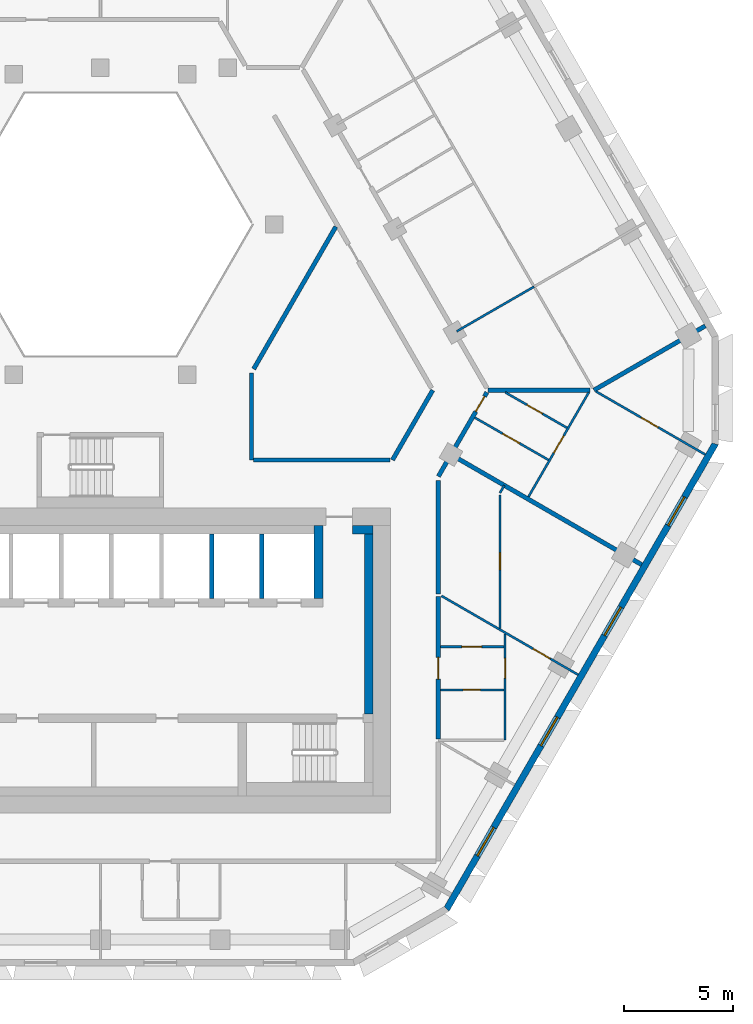
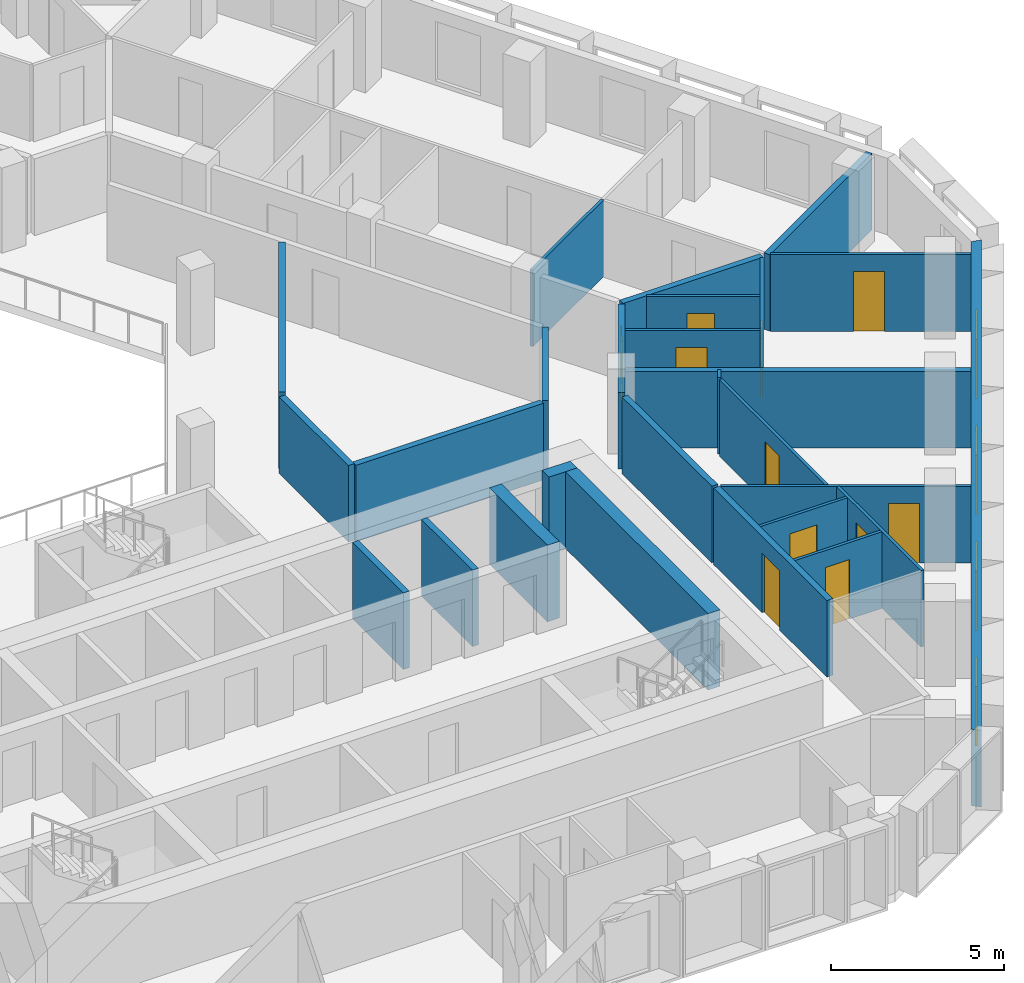
# One storey, part 6 of 15: 27 walls, 11 doors, 4 windows, 15 openings.
"""IFC4 building model written with IfcOpenShell, lengths in metres."""

from ifc_helpers import new_model, si_unit, direction, frame, frame_2d, origin, place, context, subcontext, project, spatial, polyline, rectangle, outline, extrude, material, layer, layer_set, type_object, element, fill, save


model = new_model("IFC4")

# Units and contexts
model_context = context("Model", 3, precision=1e-05, world=origin(), true_north=direction((0.0, 1.0)))
body_context = subcontext(model_context, "Body", "Model", "MODEL_VIEW")
ifc_project = project(units=[si_unit("LENGTHUNIT", "METRE"), si_unit("AREAUNIT", "SQUARE_METRE"), si_unit("VOLUMEUNIT", "CUBIC_METRE"), si_unit("PLANEANGLEUNIT", "RADIAN"), si_unit("MASSUNIT", "GRAM", prefix="KILO")], contexts=[model_context])

# Site, building, storey
site_placement = place(None, origin())
site = spatial("IfcSite", under=ifc_project, at=site_placement, CompositionType="ELEMENT")
building_placement = place(site_placement, origin())
building = spatial("IfcBuilding", under=site, at=building_placement, Name="Beryl Residences", CompositionType="ELEMENT")
storey_placement = place(building_placement, frame((0.0, 0.0, 147.60009765625)))
storey = spatial("IfcBuildingStorey", under=building, at=storey_placement, Name="L45", CompositionType="ELEMENT", Elevation=147.60009765625)

# Wall, openings, windows
ifc_material_1 = material(Name="Composite metal panel with mineral wool insulation")
ifc_layer_1 = layer(ifc_material_1, 0.300048828125)
ifc_layer_set_1 = layer_set([ifc_layer_1], Name="ES1 pale metal composite panel wall 300 mm")
wall_type_1 = type_object("IfcWallType", Name="ES1 pale metal composite panel wall 300 mm", PredefinedType="SOLIDWALL", material=ifc_layer_set_1)
wall_1_placement = place(storey_placement, frame((15.862060546875, -23.425048828125, 0.0), z_axis=(0.0, 0.0, 1.0), x_axis=(0.500017503135, 0.866015298109, 0.0)))
wall_1 = element("IfcWall", 1, at=wall_1_placement, inside=storey, type_object=wall_type_1, Name="ES1 external wall L45 SE", PredefinedType="SOLIDWALL", context=body_context, shape_type="SweptSolid", body=[
    extrude(outline(polyline([(0.0, -0.14990234375), (24.7109375, -0.14990234375), (24.630615234375, 0.14990234375), (0.080322265625, 0.14990234375), (0.0, -0.14990234375)])), origin(), (0.0, 0.0, 1.0), 2.699951171875),
])
opening_1_placement = place(wall_1_placement, frame((2.85693359375, 0.0, 0.14990234375)))
opening_1 = element("IfcOpeningElement", 2, at=opening_1_placement, cuts=wall_1, Name="Opening W1", PredefinedType="OPENING", context=body_context, shape_type="SweptSolid", body=[
    extrude(rectangle(XDim=1.5, YDim=2.10009765625, at=frame_2d((0.75, 1.050048828125))), frame((0.0, 0.159912109375, 0.0), z_axis=(0.0, -1.0, 0.0), x_axis=(1.0, 0.0, 0.0)), (0.0, 0.0, 1.0), 0.320068359375),
])
opening_2_placement = place(wall_1_placement, frame((8.68896484375, 0.0, 0.14990234375)))
opening_2 = element("IfcOpeningElement", 3, at=opening_2_placement, cuts=wall_1, Name="Opening W1", PredefinedType="OPENING", context=body_context, shape_type="SweptSolid", body=[
    extrude(rectangle(XDim=1.5, YDim=2.10009765625, at=frame_2d((0.75, 1.050048828125))), frame((0.0, 0.159912109375, 0.0), z_axis=(0.0, -1.0, 0.0), x_axis=(1.0, 0.0, 0.0)), (0.0, 0.0, 1.0), 0.320068359375),
])
opening_3_placement = place(wall_1_placement, frame((14.52001953125, 0.0, 0.14990234375)))
opening_3 = element("IfcOpeningElement", 4, at=opening_3_placement, cuts=wall_1, Name="Opening W1", PredefinedType="OPENING", context=body_context, shape_type="SweptSolid", body=[
    extrude(rectangle(XDim=1.5, YDim=2.10009765625, at=frame_2d((0.75, 1.050048828125))), frame((0.0, 0.159912109375, 0.0), z_axis=(0.0, -1.0, 0.0), x_axis=(1.0, 0.0, 0.0)), (0.0, 0.0, 1.0), 0.320068359375),
])
opening_4_placement = place(wall_1_placement, frame((20.35107421875, 0.0, 0.14990234375)))
opening_4 = element("IfcOpeningElement", 5, at=opening_4_placement, cuts=wall_1, Name="Opening W1", PredefinedType="OPENING", context=body_context, shape_type="SweptSolid", body=[
    extrude(rectangle(XDim=1.5, YDim=2.10009765625, at=frame_2d((0.75, 1.050048828125))), frame((0.0, 0.159912109375, 0.0), z_axis=(0.0, -1.0, 0.0), x_axis=(1.0, 0.0, 0.0)), (0.0, 0.0, 1.0), 0.320068359375),
])
ifc_material_2 = material(Name="Aluminium and clear glass", Category="aluminium")
window_type = type_object("IfcWindowType", Name="W1 cell window 1500 x 2100 mm", PartitioningType="SINGLE_PANEL", PredefinedType="WINDOW", material=ifc_material_2)
window_1_placement = place(opening_1_placement, origin())
window_1 = element("IfcWindow", 6, at=window_1_placement, inside=storey, type_object=window_type, Name="W1 window L45 SE 2", OverallHeight=2.10009765625, OverallWidth=1.5, PartitioningType="SINGLE_PANEL", PredefinedType="WINDOW", context=body_context, shape_type="SweptSolid", body=[
    extrude(rectangle(XDim=1.5, YDim=2.10009765625, at=frame_2d((0.75, 1.050048828125))), frame((0.0, 0.030029296875, 0.0), z_axis=(0.0, -1.0, 0.0), x_axis=(1.0, 0.0, 0.0)), (0.0, 0.0, 1.0), 0.06005859375),
])
fill(opening_1, window_1)
window_2_placement = place(opening_2_placement, origin())
window_2 = element("IfcWindow", 7, at=window_2_placement, inside=storey, type_object=window_type, Name="W1 window L45 SE 4", OverallHeight=2.10009765625, OverallWidth=1.5, PartitioningType="SINGLE_PANEL", PredefinedType="WINDOW", context=body_context, shape_type="SweptSolid", body=[
    extrude(rectangle(XDim=1.5, YDim=2.10009765625, at=frame_2d((0.75, 1.050048828125))), frame((0.0, 0.030029296875, 0.0), z_axis=(0.0, -1.0, 0.0), x_axis=(1.0, 0.0, 0.0)), (0.0, 0.0, 1.0), 0.06005859375),
])
fill(opening_2, window_2)
window_3_placement = place(opening_3_placement, origin())
window_3 = element("IfcWindow", 8, at=window_3_placement, inside=storey, type_object=window_type, Name="W1 window L45 SE 6", OverallHeight=2.10009765625, OverallWidth=1.5, PartitioningType="SINGLE_PANEL", PredefinedType="WINDOW", context=body_context, shape_type="SweptSolid", body=[
    extrude(rectangle(XDim=1.5, YDim=2.10009765625, at=frame_2d((0.75, 1.050048828125))), frame((0.0, 0.030029296875, 0.0), z_axis=(0.0, -1.0, 0.0), x_axis=(1.0, 0.0, 0.0)), (0.0, 0.0, 1.0), 0.06005859375),
])
fill(opening_3, window_3)
window_4_placement = place(opening_4_placement, origin())
window_4 = element("IfcWindow", 9, at=window_4_placement, inside=storey, type_object=window_type, Name="W1 window L45 SE 8", OverallHeight=2.10009765625, OverallWidth=1.5, PartitioningType="SINGLE_PANEL", PredefinedType="WINDOW", context=body_context, shape_type="SweptSolid", body=[
    extrude(rectangle(XDim=1.5, YDim=2.10009765625, at=frame_2d((0.75, 1.050048828125))), frame((0.0, 0.030029296875, 0.0), z_axis=(0.0, -1.0, 0.0), x_axis=(1.0, 0.0, 0.0)), (0.0, 0.0, 1.0), 0.06005859375),
])
fill(opening_4, window_4)

# Wall, opening, door
ifc_material_3 = material(Name="Gypsum board partition on steel studs", Category="steel")
ifc_layer_2 = layer(ifc_material_3, 0.10009765625)
ifc_layer_set_2 = layer_set([ifc_layer_2], Name="PT1 partition 100 mm gypsum board on steel studs")
wall_type_2 = type_object("IfcWallType", Name="PT1 partition 100 mm gypsum board on steel studs", PredefinedType="PARTITIONING", material=ifc_layer_set_2)
wall_2_placement = place(storey_placement, frame((18.324951171875, -4.408935546875, 0.0), z_axis=(0.0, 0.0, 1.0), x_axis=(0.0, -1.0, 0.0)))
wall_2 = element("IfcWall", 10, at=wall_2_placement, inside=storey, type_object=wall_type_2, Name="Wall PT1 L45 005", PredefinedType="PARTITIONING", context=body_context, shape_type="SweptSolid", body=[
    extrude(rectangle(XDim=6.114990234375, YDim=0.10009765625, at=frame_2d((3.0576171875, 0.0))), origin(), (0.0, 0.0, 1.0), 2.699951171875),
])
opening_5_placement = place(wall_2_placement, frame((2.635986328125, 0.0, 0.0)))
opening_5 = element("IfcOpeningElement", 11, at=opening_5_placement, cuts=wall_2, Name="Opening D1313", PredefinedType="OPENING", context=body_context, shape_type="SweptSolid", body=[
    extrude(rectangle(XDim=0.800048828125, YDim=2.10009765625, at=frame_2d((0.39990234375, 1.050048828125))), frame((0.0, 0.06005859375, 0.0), z_axis=(0.0, -1.0, 0.0), x_axis=(1.0, 0.0, 0.0)), (0.0, 0.0, 1.0), 0.1201171875),
])
ifc_material_4 = material(Name="Timber door leaf", Category="wood")
door_type_1 = type_object("IfcDoorType", Name="D3 bathroom door 800 x 2100 mm", OperationType="SINGLE_SWING_LEFT", PredefinedType="DOOR", material=ifc_material_4)
door_1_placement = place(opening_5_placement, origin())
door_1 = element("IfcDoor", 12, at=door_1_placement, inside=storey, type_object=door_type_1, Name="Door D1313 L45 001", OperationType="SINGLE_SWING_LEFT", OverallHeight=2.10009765625, OverallWidth=0.800048828125, PredefinedType="DOOR", context=body_context, shape_type="SweptSolid", body=[
    extrude(rectangle(XDim=0.800048828125, YDim=2.10009765625, at=frame_2d((0.39990234375, 1.050048828125))), frame((0.0, 0.02490234375, 0.0), z_axis=(0.0, -1.0, 0.0), x_axis=(1.0, 0.0, 0.0)), (0.0, 0.0, 1.0), 0.050048828125),
])
fill(opening_5, door_1)

wall_3_placement = place(storey_placement, frame((15.64111328125, -9.031982421875, 0.0), z_axis=(0.0, 0.0, 1.0), x_axis=(0.866049104564, -0.499958946799, 0.0)))
wall_3 = element("IfcWall", 13, at=wall_3_placement, inside=storey, type_object=wall_type_2, Name="Wall PT1 L45 014", PredefinedType="PARTITIONING", context=body_context, shape_type="SweptSolid", body=[
    extrude(rectangle(XDim=7.23828125, YDim=0.10009765625, at=frame_2d((3.619140625, 0.0))), origin(), (0.0, 0.0, 1.0), 2.699951171875),
])
opening_6_placement = place(wall_3_placement, frame((4.85400390625, 0.0, 0.0)))
opening_6 = element("IfcOpeningElement", 14, at=opening_6_placement, cuts=wall_3, Name="Opening D1312", PredefinedType="OPENING", context=body_context, shape_type="SweptSolid", body=[
    extrude(rectangle(XDim=0.89990234375, YDim=2.10009765625, at=frame_2d((0.449951171875, 1.050048828125))), frame((0.0, 0.06005859375, 0.0), z_axis=(0.0, -1.0, 0.0), x_axis=(1.0, 0.0, 0.0)), (0.0, 0.0, 1.0), 0.1201171875),
])
ifc_material_5 = material(Name="Timber door leaf", Category="wood")
door_type_2 = type_object("IfcDoorType", Name="D2 room door 900 x 2100 mm", OperationType="SINGLE_SWING_LEFT", PredefinedType="DOOR", material=ifc_material_5)
door_2_placement = place(opening_6_placement, origin())
door_2 = element("IfcDoor", 15, at=door_2_placement, inside=storey, type_object=door_type_2, Name="Door D1312 L45 001", OperationType="SINGLE_SWING_RIGHT", OverallHeight=2.10009765625, OverallWidth=0.89990234375, PredefinedType="DOOR", context=body_context, shape_type="SweptSolid", body=[
    extrude(rectangle(XDim=0.89990234375, YDim=2.10009765625, at=frame_2d((0.449951171875, 1.050048828125))), frame((0.0, 0.02490234375, 0.0), z_axis=(0.0, -1.0, 0.0), x_axis=(1.0, 0.0, 0.0)), (0.0, 0.0, 1.0), 0.050048828125),
])
fill(opening_6, door_2)

wall_4_placement = place(storey_placement, frame((17.1708984375, -0.85693359375, 0.0), z_axis=(0.0, 0.0, 1.0), x_axis=(0.867173455867, -0.49800622229, 0.0)))
wall_4 = element("IfcWall", 16, at=wall_4_placement, inside=storey, type_object=wall_type_2, Name="Wall PT1 L45 016", PredefinedType="PARTITIONING", context=body_context, shape_type="SweptSolid", body=[
    extrude(rectangle(XDim=3.89794921875, YDim=0.10009765625, at=frame_2d((1.948974609375, 0.0))), origin(), (0.0, 0.0, 1.0), 2.699951171875),
])
opening_7_placement = place(wall_4_placement, frame((1.47412109375, 0.0, 0.0)))
opening_7 = element("IfcOpeningElement", 17, at=opening_7_placement, cuts=wall_4, Name="Opening D1315", PredefinedType="OPENING", context=body_context, shape_type="SweptSolid", body=[
    extrude(rectangle(XDim=0.89990234375, YDim=2.10009765625, at=frame_2d((0.449951171875, 1.050048828125))), frame((0.0, 0.06005859375, 0.0), z_axis=(0.0, -1.0, 0.0), x_axis=(1.0, 0.0, 0.0)), (0.0, 0.0, 1.0), 0.1201171875),
])
door_3_placement = place(opening_7_placement, origin())
door_3 = element("IfcDoor", 18, at=door_3_placement, inside=storey, type_object=door_type_2, Name="Door D1315 L45 001", OperationType="SINGLE_SWING_LEFT", OverallHeight=2.10009765625, OverallWidth=0.89990234375, PredefinedType="DOOR", context=body_context, shape_type="SweptSolid", body=[
    extrude(rectangle(XDim=0.89990234375, YDim=2.10009765625, at=frame_2d((0.449951171875, 1.050048828125))), frame((0.0, 0.02490234375, 0.0), z_axis=(0.0, -1.0, 0.0), x_axis=(1.0, 0.0, 0.0)), (0.0, 0.0, 1.0), 0.050048828125),
])
fill(opening_7, door_3)

wall_5_placement = place(storey_placement, frame((18.568115234375, 0.301025390625, 0.0), z_axis=(0.0, 0.0, 1.0), x_axis=(0.867155675456, -0.49803718187, 0.0)))
wall_5 = element("IfcWall", 19, at=wall_5_placement, inside=storey, type_object=wall_type_2, Name="Wall PT1 L45 017", PredefinedType="PARTITIONING", context=body_context, shape_type="SweptSolid", body=[
    extrude(rectangle(XDim=3.266845703125, YDim=0.10009765625, at=frame_2d((1.63330078125, 0.0))), origin(), (0.0, 0.0, 1.0), 2.699951171875),
])
opening_8_placement = place(wall_5_placement, frame((1.157958984375, 0.0, 0.0)))
opening_8 = element("IfcOpeningElement", 20, at=opening_8_placement, cuts=wall_5, Name="Opening D1316", PredefinedType="OPENING", context=body_context, shape_type="SweptSolid", body=[
    extrude(rectangle(XDim=0.800048828125, YDim=2.10009765625, at=frame_2d((0.39990234375, 1.050048828125))), frame((0.0, 0.06005859375, 0.0), z_axis=(0.0, -1.0, 0.0), x_axis=(1.0, 0.0, 0.0)), (0.0, 0.0, 1.0), 0.1201171875),
])
door_4_placement = place(opening_8_placement, origin())
door_4 = element("IfcDoor", 21, at=door_4_placement, inside=storey, type_object=door_type_1, Name="Door D1316 L45 001", OperationType="SINGLE_SWING_RIGHT", OverallHeight=2.10009765625, OverallWidth=0.800048828125, PredefinedType="DOOR", context=body_context, shape_type="SweptSolid", body=[
    extrude(rectangle(XDim=0.800048828125, YDim=2.10009765625, at=frame_2d((0.39990234375, 1.050048828125))), frame((0.0, 0.02490234375, 0.0), z_axis=(0.0, -1.0, 0.0), x_axis=(1.0, 0.0, 0.0)), (0.0, 0.0, 1.0), 0.050048828125),
])
fill(opening_8, door_4)

wall_6_placement = place(storey_placement, frame((22.72900390625, 0.343017578125, 0.0), z_axis=(0.0, 0.0, 1.0), x_axis=(0.865996608848, -0.500049870977, 0.0)))
wall_6 = element("IfcWall", 22, at=wall_6_placement, inside=storey, type_object=wall_type_2, Name="Wall PT1 L45 018", PredefinedType="PARTITIONING", context=body_context, shape_type="SweptSolid", body=[
    extrude(rectangle(XDim=5.78759765625, YDim=0.10009765625, at=frame_2d((2.893798828125, 0.0))), origin(), (0.0, 0.0, 1.0), 2.699951171875),
])
opening_9_placement = place(wall_6_placement, frame((2.385986328125, 0.0, 0.0)))
opening_9 = element("IfcOpeningElement", 23, at=opening_9_placement, cuts=wall_6, Name="Opening D1318", PredefinedType="OPENING", context=body_context, shape_type="SweptSolid", body=[
    extrude(rectangle(XDim=0.89990234375, YDim=2.10009765625, at=frame_2d((0.449951171875, 1.050048828125))), frame((0.0, 0.06005859375, 0.0), z_axis=(0.0, -1.0, 0.0), x_axis=(1.0, 0.0, 0.0)), (0.0, 0.0, 1.0), 0.1201171875),
])
door_5_placement = place(opening_9_placement, origin())
door_5 = element("IfcDoor", 24, at=door_5_placement, inside=storey, type_object=door_type_2, Name="Door D1318 L45 001", OperationType="SINGLE_SWING_RIGHT", OverallHeight=2.10009765625, OverallWidth=0.89990234375, PredefinedType="DOOR", context=body_context, shape_type="SweptSolid", body=[
    extrude(rectangle(XDim=0.89990234375, YDim=2.10009765625, at=frame_2d((0.449951171875, 1.050048828125))), frame((0.0, 0.02490234375, 0.0), z_axis=(0.0, -1.0, 0.0), x_axis=(1.0, 0.0, 0.0)), (0.0, 0.0, 1.0), 0.050048828125),
])
fill(opening_9, door_5)

wall_7_placement = place(storey_placement, frame((15.60009765625, -11.362060546875, 0.0), z_axis=(0.0, 0.0, 1.0), x_axis=(1.0, 0.0, 0.0)))
wall_7 = element("IfcWall", 25, at=wall_7_placement, inside=storey, type_object=wall_type_2, Name="Wall PT1 L45 020", PredefinedType="PARTITIONING", context=body_context, shape_type="SweptSolid", body=[
    extrude(rectangle(XDim=2.909912109375, YDim=0.10009765625, at=frame_2d((1.455078125, 0.0))), origin(), (0.0, 0.0, 1.0), 2.699951171875),
])
opening_10_placement = place(wall_7_placement, frame((0.97998046875, 0.0, 0.0)))
opening_10 = element("IfcOpeningElement", 26, at=opening_10_placement, cuts=wall_7, Name="Opening D1309", PredefinedType="OPENING", context=body_context, shape_type="SweptSolid", body=[
    extrude(rectangle(XDim=0.89990234375, YDim=2.10009765625, at=frame_2d((0.449951171875, 1.050048828125))), frame((0.0, 0.06005859375, 0.0), z_axis=(0.0, -1.0, 0.0), x_axis=(1.0, 0.0, 0.0)), (0.0, 0.0, 1.0), 0.1201171875),
])
door_6_placement = place(opening_10_placement, origin())
door_6 = element("IfcDoor", 27, at=door_6_placement, inside=storey, type_object=door_type_2, Name="Door D1309 L45 001", OperationType="SINGLE_SWING_LEFT", OverallHeight=2.10009765625, OverallWidth=0.89990234375, PredefinedType="DOOR", context=body_context, shape_type="SweptSolid", body=[
    extrude(rectangle(XDim=0.89990234375, YDim=2.10009765625, at=frame_2d((0.449951171875, 1.050048828125))), frame((0.0, 0.02490234375, 0.0), z_axis=(0.0, -1.0, 0.0), x_axis=(1.0, 0.0, 0.0)), (0.0, 0.0, 1.0), 0.050048828125),
])
fill(opening_10, door_6)

wall_8_placement = place(storey_placement, frame((15.60009765625, -13.342041015625, 0.0), z_axis=(0.0, 0.0, 1.0), x_axis=(1.0, 0.0, 0.0)))
wall_8 = element("IfcWall", 28, at=wall_8_placement, inside=storey, type_object=wall_type_2, Name="Wall PT1 L45 021", PredefinedType="PARTITIONING", context=body_context, shape_type="SweptSolid", body=[
    extrude(rectangle(XDim=2.909912109375, YDim=0.10009765625, at=frame_2d((1.455078125, 0.0))), origin(), (0.0, 0.0, 1.0), 2.699951171875),
])
opening_11_placement = place(wall_8_placement, frame((1.030029296875, 0.0, 0.0)))
opening_11 = element("IfcOpeningElement", 29, at=opening_11_placement, cuts=wall_8, Name="Opening D1308", PredefinedType="OPENING", context=body_context, shape_type="SweptSolid", body=[
    extrude(rectangle(XDim=0.800048828125, YDim=2.10009765625, at=frame_2d((0.39990234375, 1.050048828125))), frame((0.0, 0.06005859375, 0.0), z_axis=(0.0, -1.0, 0.0), x_axis=(1.0, 0.0, 0.0)), (0.0, 0.0, 1.0), 0.1201171875),
])
door_7_placement = place(opening_11_placement, origin())
door_7 = element("IfcDoor", 30, at=door_7_placement, inside=storey, type_object=door_type_1, Name="Door D1308 L45 001", OperationType="SINGLE_SWING_RIGHT", OverallHeight=2.10009765625, OverallWidth=0.800048828125, PredefinedType="DOOR", context=body_context, shape_type="SweptSolid", body=[
    extrude(rectangle(XDim=0.800048828125, YDim=2.10009765625, at=frame_2d((0.39990234375, 1.050048828125))), frame((0.0, 0.02490234375, 0.0), z_axis=(0.0, -1.0, 0.0), x_axis=(1.0, 0.0, 0.0)), (0.0, 0.0, 1.0), 0.050048828125),
])
fill(opening_11, door_7)

# Wall
wall_9_placement = place(storey_placement, frame((18.324951171875, -4.30908203125, 0.0), z_axis=(0.0, 0.0, 1.0), x_axis=(0.5014706583, 0.865174652232, 0.0)))
element("IfcWall", 31, at=wall_9_placement, inside=storey, type_object=wall_type_2, Name="Wall PT1 L45 028", PredefinedType="PARTITIONING", context=body_context, shape_type="SweptSolid", body=[
    extrude(rectangle(XDim=0.398681640625, YDim=0.10009765625, at=frame_2d((0.19921875, 0.0))), origin(), (0.0, 0.0, 1.0), 2.699951171875),
])

# Wall, opening, door
wall_10_placement = place(storey_placement, frame((19.633056640625, -4.488037109375, 0.0), z_axis=(0.0, 0.0, 1.0), x_axis=(0.499989971015, 0.866031193944, 0.0)))
wall_10 = element("IfcWall", 32, at=wall_10_placement, inside=storey, type_object=wall_type_2, Name="Wall PT1 L45 029", PredefinedType="PARTITIONING", context=body_context, shape_type="SweptSolid", body=[
    extrude(rectangle(XDim=5.52978515625, YDim=0.10009765625, at=frame_2d((2.764892578125, 0.0))), origin(), (0.0, 0.0, 1.0), 2.699951171875),
])
opening_12_placement = place(wall_10_placement, frame((2.322021484375, 0.0, 0.0)))
opening_12 = element("IfcOpeningElement", 33, at=opening_12_placement, cuts=wall_10, Name="Opening D1317", PredefinedType="OPENING", context=body_context, shape_type="SweptSolid", body=[
    extrude(rectangle(XDim=0.89990234375, YDim=2.10009765625, at=frame_2d((0.449951171875, 1.050048828125))), frame((0.0, 0.06005859375, 0.0), z_axis=(0.0, -1.0, 0.0), x_axis=(1.0, 0.0, 0.0)), (0.0, 0.0, 1.0), 0.1201171875),
])
door_8_placement = place(opening_12_placement, origin())
door_8 = element("IfcDoor", 34, at=door_8_placement, inside=storey, type_object=door_type_2, Name="Door D1317 L45 001", OperationType="SINGLE_SWING_LEFT", OverallHeight=2.10009765625, OverallWidth=0.89990234375, PredefinedType="DOOR", context=body_context, shape_type="SweptSolid", body=[
    extrude(rectangle(XDim=0.89990234375, YDim=2.10009765625, at=frame_2d((0.449951171875, 1.050048828125))), frame((0.0, 0.02490234375, 0.0), z_axis=(0.0, -1.0, 0.0), x_axis=(1.0, 0.0, 0.0)), (0.0, 0.0, 1.0), 0.050048828125),
])
fill(opening_12, door_8)

wall_11_placement = place(storey_placement, frame((18.56005859375, -15.652099609375, 0.0), z_axis=(0.0, 0.0, 1.0), x_axis=(0.0, 1.0, 0.0)))
wall_11 = element("IfcWall", 35, at=wall_11_placement, inside=storey, type_object=wall_type_2, Name="Wall PT1 L45 041", PredefinedType="PARTITIONING", context=body_context, shape_type="SweptSolid", body=[
    extrude(rectangle(XDim=4.877197265625, YDim=0.10009765625, at=frame_2d((2.4384765625, 0.0))), origin(), (0.0, 0.0, 1.0), 2.699951171875),
])
opening_13_placement = place(wall_11_placement, frame((2.85009765625, 0.0, 0.0)))
opening_13 = element("IfcOpeningElement", 36, at=opening_13_placement, cuts=wall_11, Name="Opening D1310", PredefinedType="OPENING", context=body_context, shape_type="SweptSolid", body=[
    extrude(rectangle(XDim=0.89990234375, YDim=2.10009765625, at=frame_2d((0.449951171875, 1.050048828125))), frame((0.0, 0.06005859375, 0.0), z_axis=(0.0, -1.0, 0.0), x_axis=(1.0, 0.0, 0.0)), (0.0, 0.0, 1.0), 0.1201171875),
])
door_9_placement = place(opening_13_placement, origin())
door_9 = element("IfcDoor", 37, at=door_9_placement, inside=storey, type_object=door_type_2, Name="Door D1310 L45 001", OperationType="SINGLE_SWING_RIGHT", OverallHeight=2.10009765625, OverallWidth=0.89990234375, PredefinedType="DOOR", context=body_context, shape_type="SweptSolid", body=[
    extrude(rectangle(XDim=0.89990234375, YDim=2.10009765625, at=frame_2d((0.449951171875, 1.050048828125))), frame((0.0, 0.02490234375, 0.0), z_axis=(0.0, -1.0, 0.0), x_axis=(1.0, 0.0, 0.0)), (0.0, 0.0, 1.0), 0.050048828125),
])
fill(opening_13, door_9)

# Walls
wall_12_placement = place(storey_placement, frame((16.339111328125, 3.10009765625, 0.0), z_axis=(0.0, 0.0, 1.0), x_axis=(0.866050731258, 0.499956128963, 0.0)))
element("IfcWall", 38, at=wall_12_placement, inside=storey, type_object=wall_type_2, Name="Wall PT1 L45 047", PredefinedType="PARTITIONING", context=body_context, shape_type="SweptSolid", body=[
    extrude(rectangle(XDim=4.099853515625, YDim=0.10009765625, at=frame_2d((2.0498046875, 0.0))), origin(), (0.0, 0.0, 1.0), 2.699951171875),
])
ifc_material_6 = material(Name="Concrete masonry", Category="masonry")
ifc_layer_3 = layer(ifc_material_6, 0.39990234375)
ifc_layer_set_3 = layer_set([ifc_layer_3], Name="PT13-400 lobby wall 400 mm")
wall_type_3 = type_object("IfcWallType", Name="PT13-400 lobby wall 400 mm", PredefinedType="PARTITIONING", material=ifc_layer_set_3)
wall_13_placement = place(storey_placement, frame((11.550048828125, -6.0, 0.0), z_axis=(0.0, 0.0, 1.0), x_axis=(1.0, 0.0, 0.0)))
element("IfcWall", 39, at=wall_13_placement, inside=storey, type_object=wall_type_3, Name="Lobby wall 22", PredefinedType="PARTITIONING", context=body_context, shape_type="SweptSolid", body=[
    extrude(rectangle(XDim=0.949951171875, YDim=0.39990234375, at=frame_2d((0.47509765625, 0.0))), origin(), (0.0, 0.0, 1.0), 2.699951171875),
])
wall_14_placement = place(storey_placement, frame((12.300048828125, -14.449951171875, 0.0), z_axis=(0.0, 0.0, 1.0), x_axis=(0.0, 1.0, 0.0)))
element("IfcWall", 40, at=wall_14_placement, inside=storey, type_object=wall_type_3, Name="Lobby wall 24", PredefinedType="PARTITIONING", context=body_context, shape_type="SweptSolid", body=[
    extrude(rectangle(XDim=8.25, YDim=0.39990234375, at=frame_2d((4.125, 0.0))), origin(), (0.0, 0.0, 1.0), 2.699951171875),
])
ifc_material_7 = material(Name="Acoustic double stud gypsum board wall")
ifc_layer_4 = layer(ifc_material_7, 0.199951171875)
ifc_layer_set_4 = layer_set([ifc_layer_4], Name="PT3 party wall 200 mm acoustic double stud")
wall_type_4 = type_object("IfcWallType", Name="PT3 party wall 200 mm acoustic double stud", PredefinedType="PARTITIONING", material=ifc_layer_set_4)
wall_15_placement = place(storey_placement, frame((16.1650390625, -2.60107421875, 0.0), z_axis=(0.0, 0.0, 1.0), x_axis=(0.866016855193, -0.500014806302, 0.0)))
element("IfcWall", 41, at=wall_15_placement, inside=storey, type_object=wall_type_4, Name="Wall PT3 L45 005", PredefinedType="PARTITIONING", context=body_context, shape_type="SweptSolid", body=[
    extrude(rectangle(XDim=9.999755859375, YDim=0.199951171875, at=frame_2d((5.0, 0.0))), origin(), (0.0, 0.0, 1.0), 2.699951171875),
])
wall_16_placement = place(storey_placement, frame((17.781982421875, 0.40087890625, 0.0), z_axis=(0.0, 0.0, 1.0), x_axis=(1.0, 0.0, 0.0)))
element("IfcWall", 42, at=wall_16_placement, inside=storey, type_object=wall_type_4, Name="Wall PT3 L45 007", PredefinedType="PARTITIONING", context=body_context, shape_type="SweptSolid", body=[
    extrude(rectangle(XDim=4.674072265625, YDim=0.199951171875, at=frame_2d((2.3369140625, 0.0))), origin(), (0.0, 0.0, 1.0), 2.699951171875),
])
wall_17_placement = place(storey_placement, frame((22.634033203125, 0.40087890625, 0.0), z_axis=(0.0, 0.0, 1.0), x_axis=(0.86601325737, 0.500021037617, 0.0)))
element("IfcWall", 43, at=wall_17_placement, inside=storey, type_object=wall_type_4, Name="Wall PT3 L45 011", PredefinedType="PARTITIONING", context=body_context, shape_type="SweptSolid", body=[
    extrude(rectangle(XDim=5.898193359375, YDim=0.199951171875, at=frame_2d((2.94921875, 0.0))), origin(), (0.0, 0.0, 1.0), 2.699951171875),
])
ifc_material_8 = material(Name="Double stud gypsum board wall")
ifc_layer_5 = layer(ifc_material_8, 0.199951171875)
ifc_layer_set_5 = layer_set([ifc_layer_5], Name="PT4 corridor wall 200 mm double stud")
wall_type_5 = type_object("IfcWallType", Name="PT4 corridor wall 200 mm double stud", PredefinedType="PARTITIONING", material=ifc_layer_set_5)
wall_18_placement = place(storey_placement, frame((15.5, -3.751953125, 0.0), z_axis=(0.0, 0.0, 1.0), x_axis=(0.0, -1.0, 0.0)))
element("IfcWall", 44, at=wall_18_placement, inside=storey, type_object=wall_type_5, Name="Wall PT4 L45 008", PredefinedType="PARTITIONING", context=body_context, shape_type="SweptSolid", body=[
    extrude(rectangle(XDim=5.197998046875, YDim=0.199951171875, at=frame_2d((2.59912109375, 0.0))), origin(), (0.0, 0.0, 1.0), 2.699951171875),
])
wall_19_placement = place(storey_placement, frame((7.028076171875, -2.800048828125, 0.0), z_axis=(0.0, 0.0, 1.0), x_axis=(1.0, 0.0, 0.0)))
element("IfcWall", 45, at=wall_19_placement, inside=storey, type_object=wall_type_5, Name="Wall PT4 L45 013", PredefinedType="PARTITIONING", context=body_context, shape_type="SweptSolid", body=[
    extrude(rectangle(XDim=6.25, YDim=0.199951171875, at=frame_2d((3.125, 0.0))), origin(), (0.0, 0.0, 1.0), 2.699951171875),
])
wall_20_placement = place(storey_placement, frame((7.028076171875, 1.373046875, 0.0), z_axis=(0.0, 0.0, 1.0), x_axis=(0.499954271211, 0.866051803703, 0.0)))
element("IfcWall", 46, at=wall_20_placement, inside=storey, type_object=wall_type_5, Name="Wall PT4 L45 017", PredefinedType="PARTITIONING", context=body_context, shape_type="SweptSolid", body=[
    extrude(rectangle(XDim=7.536376953125, YDim=0.199951171875, at=frame_2d((3.76806640625, 0.0))), origin(), (0.0, 0.0, 1.0), 2.699951171875),
])
wall_21_placement = place(storey_placement, frame((13.39404296875, -2.800048828125, 0.0), z_axis=(0.0, 0.0, 1.0), x_axis=(0.499968324138, 0.866043691079, 0.0)))
element("IfcWall", 47, at=wall_21_placement, inside=storey, type_object=wall_type_5, Name="Wall PT4 L45 018", PredefinedType="PARTITIONING", context=body_context, shape_type="SweptSolid", body=[
    extrude(rectangle(XDim=3.696044921875, YDim=0.199951171875, at=frame_2d((1.84814453125, 0.0))), origin(), (0.0, 0.0, 1.0), 2.699951171875),
])

# Wall, opening, door
wall_22_placement = place(storey_placement, frame((15.5, -3.552001953125, 0.0), z_axis=(0.0, 0.0, 1.0), x_axis=(0.499928303779, 0.86606679366, 0.0)))
wall_22 = element("IfcWall", 48, at=wall_22_placement, inside=storey, type_object=wall_type_5, Name="Wall PT4 L45 019", PredefinedType="PARTITIONING", context=body_context, shape_type="SweptSolid", body=[
    extrude(rectangle(XDim=4.448974609375, YDim=0.199951171875, at=frame_2d((2.224609375, 0.0))), origin(), (0.0, 0.0, 1.0), 2.699951171875),
])
opening_14_placement = place(wall_22_placement, frame((3.431884765625, 0.0, 0.0)))
opening_14 = element("IfcOpeningElement", 49, at=opening_14_placement, cuts=wall_22, Name="Opening D1314", PredefinedType="OPENING", context=body_context, shape_type="SweptSolid", body=[
    extrude(rectangle(XDim=0.800048828125, YDim=2.10009765625, at=frame_2d((0.39990234375, 1.050048828125))), frame((0.0, 0.10986328125, 0.0), z_axis=(0.0, -1.0, 0.0), x_axis=(1.0, 0.0, 0.0)), (0.0, 0.0, 1.0), 0.219970703125),
])
ifc_material_9 = material(Name="Timber door leaf", Category="wood")
door_type_3 = type_object("IfcDoorType", Name="D12 flat entrance door 800 x 2100 mm", OperationType="SINGLE_SWING_LEFT", PredefinedType="DOOR", material=ifc_material_9)
door_10_placement = place(opening_14_placement, origin())
door_10 = element("IfcDoor", 50, at=door_10_placement, inside=storey, type_object=door_type_3, Name="Door D1314 L45 001", OperationType="SINGLE_SWING_RIGHT", OverallHeight=2.10009765625, OverallWidth=0.800048828125, PredefinedType="DOOR", context=body_context, shape_type="SweptSolid", body=[
    extrude(rectangle(XDim=0.800048828125, YDim=2.10009765625, at=frame_2d((0.39990234375, 1.050048828125))), frame((0.0, 0.02490234375, 0.0), z_axis=(0.0, -1.0, 0.0), x_axis=(1.0, 0.0, 0.0)), (0.0, 0.0, 1.0), 0.050048828125),
])
fill(opening_14, door_10)

# Wall
wall_23_placement = place(storey_placement, frame((6.927978515625, -2.800048828125, 0.0), z_axis=(0.0, 0.0, 1.0), x_axis=(0.0, 1.0, 0.0)))
element("IfcWall", 51, at=wall_23_placement, inside=storey, type_object=wall_type_5, Name="Wall PT4 L45 023", PredefinedType="PARTITIONING", context=body_context, shape_type="SweptSolid", body=[
    extrude(rectangle(XDim=4.0, YDim=0.199951171875, at=frame_2d((2.0, 0.0))), origin(), (0.0, 0.0, 1.0), 2.699951171875),
])

# Wall, opening, door
wall_24_placement = place(storey_placement, frame((15.5, -15.593994140625, 0.0), z_axis=(0.0, 0.0, 1.0), x_axis=(0.0, 1.0, 0.0)))
wall_24 = element("IfcWall", 52, at=wall_24_placement, inside=storey, type_object=wall_type_5, Name="Wall PT4 L45 025", PredefinedType="PARTITIONING", context=body_context, shape_type="SweptSolid", body=[
    extrude(rectangle(XDim=6.5419921875, YDim=0.199951171875, at=frame_2d((3.27099609375, 0.0))), origin(), (0.0, 0.0, 1.0), 2.699951171875),
])
opening_15_placement = place(wall_24_placement, frame((2.741943359375, 0.0, 0.0)))
opening_15 = element("IfcOpeningElement", 53, at=opening_15_placement, cuts=wall_24, Name="Opening D1307", PredefinedType="OPENING", context=body_context, shape_type="SweptSolid", body=[
    extrude(rectangle(XDim=1.0, YDim=2.10009765625, at=frame_2d((0.5, 1.050048828125))), frame((0.0, 0.10986328125, 0.0), z_axis=(0.0, -1.0, 0.0), x_axis=(1.0, 0.0, 0.0)), (0.0, 0.0, 1.0), 0.219970703125),
])
ifc_material_10 = material(Name="Timber door leaf", Category="wood")
door_type_4 = type_object("IfcDoorType", Name="D1 flat entrance door 1000 x 2100 mm", OperationType="SINGLE_SWING_LEFT", PredefinedType="DOOR", material=ifc_material_10)
door_11_placement = place(opening_15_placement, origin())
door_11 = element("IfcDoor", 54, at=door_11_placement, inside=storey, type_object=door_type_4, Name="Door D1307 L45 001", OperationType="SINGLE_SWING_LEFT", OverallHeight=2.10009765625, OverallWidth=1.0, PredefinedType="DOOR", context=body_context, shape_type="SweptSolid", body=[
    extrude(rectangle(XDim=1.0, YDim=2.10009765625, at=frame_2d((0.5, 1.050048828125))), frame((0.0, 0.02490234375, 0.0), z_axis=(0.0, -1.0, 0.0), x_axis=(1.0, 0.0, 0.0)), (0.0, 0.0, 1.0), 0.050048828125),
])
fill(opening_15, door_11)

# Walls
ifc_material_11 = material(Name="Concrete C40/50", Category="concrete")
ifc_layer_6 = layer(ifc_material_11, 0.199951171875)
ifc_layer_set_6 = layer_set([ifc_layer_6], Name="PT6 lift shaft wall 200 mm reinforced concrete C40/50")
wall_type_6 = type_object("IfcWallType", Name="PT6 lift shaft wall 200 mm reinforced concrete C40/50", PredefinedType="SOLIDWALL", material=ifc_layer_set_6)
for number, where, z_axis, x_axis, name in (
    (55, (5.10009765625, -9.14990234375, 0.0), (0.0, 0.0, 1.0), (0.0, 1.0, 0.0), "Lift shaft wall 19"),
    (56, (7.39990234375, -9.14990234375, 0.0), (0.0, 0.0, 1.0), (0.0, 1.0, 0.0), "Lift shaft wall 21"),
):
    element("IfcWall", number, at=place(storey_placement, frame(where, z_axis=z_axis, x_axis=x_axis)), inside=storey, type_object=wall_type_6, Name=name, PredefinedType="SOLIDWALL", context=body_context, shape_type="SweptSolid", body=[
        extrude(rectangle(XDim=2.949951171875, YDim=0.199951171875, at=frame_2d((1.47509765625, 0.0))), origin(), (0.0, 0.0, 1.0), 2.699951171875),
    ])
ifc_material_12 = material(Name="Concrete C60/75", Category="concrete")
ifc_layer_7 = layer(ifc_material_12, 0.39990234375)
ifc_layer_set_7 = layer_set([ifc_layer_7], Name="SW8 core internal wall 400 mm C60/75")
wall_type_7 = type_object("IfcWallType", Name="SW8 core internal wall 400 mm C60/75", PredefinedType="SHEAR", material=ifc_layer_set_7)
wall_25_placement = place(storey_placement, frame((10.0, -9.14990234375, 0.0), z_axis=(0.0, 0.0, 1.0), x_axis=(0.0, 1.0, 0.0)))
element("IfcWall", 57, at=wall_25_placement, inside=storey, type_object=wall_type_7, Name="Core wall XN2 L45", PredefinedType="SHEAR", context=body_context, shape_type="SweptSolid", body=[
    extrude(rectangle(XDim=3.349853515625, YDim=0.39990234375, at=frame_2d((1.6748046875, 0.0))), origin(), (0.0, 0.0, 1.0), 2.699951171875),
])

save(model, "model.ifc")
